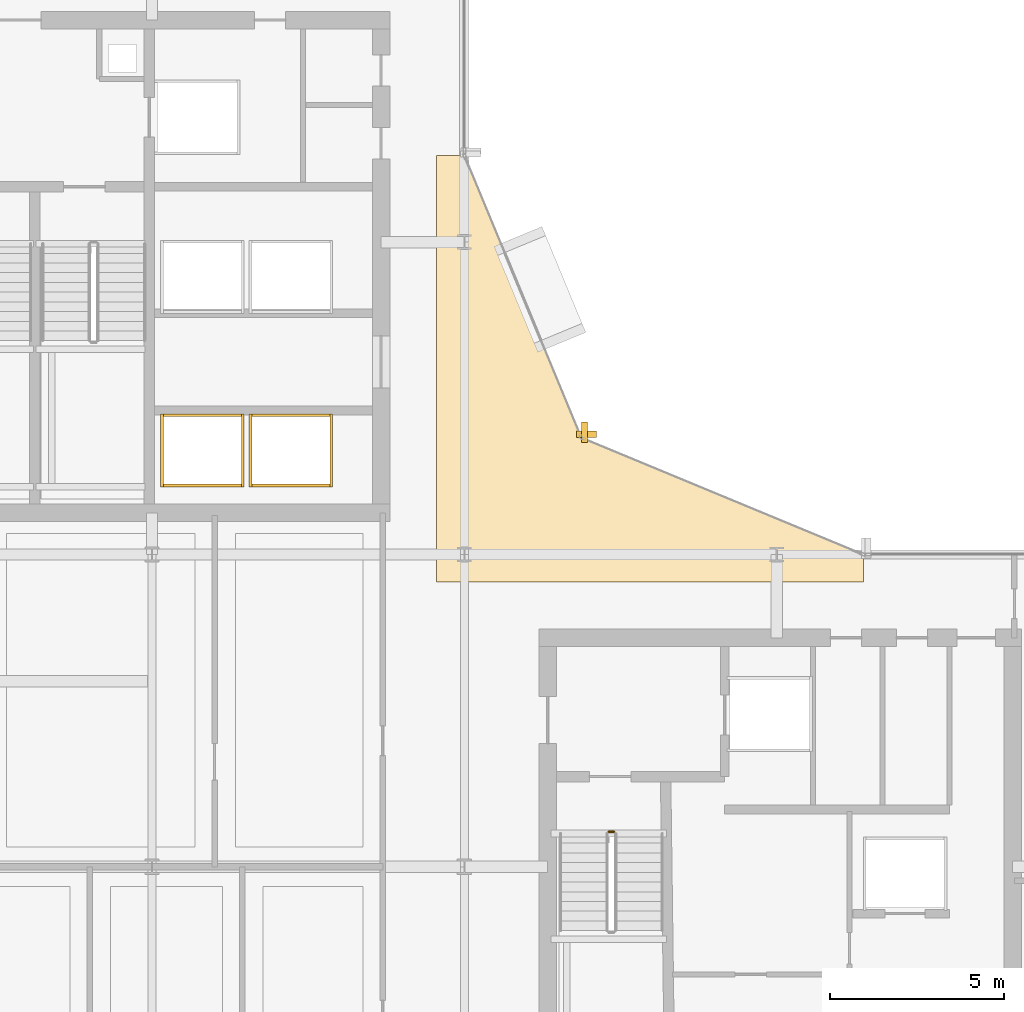
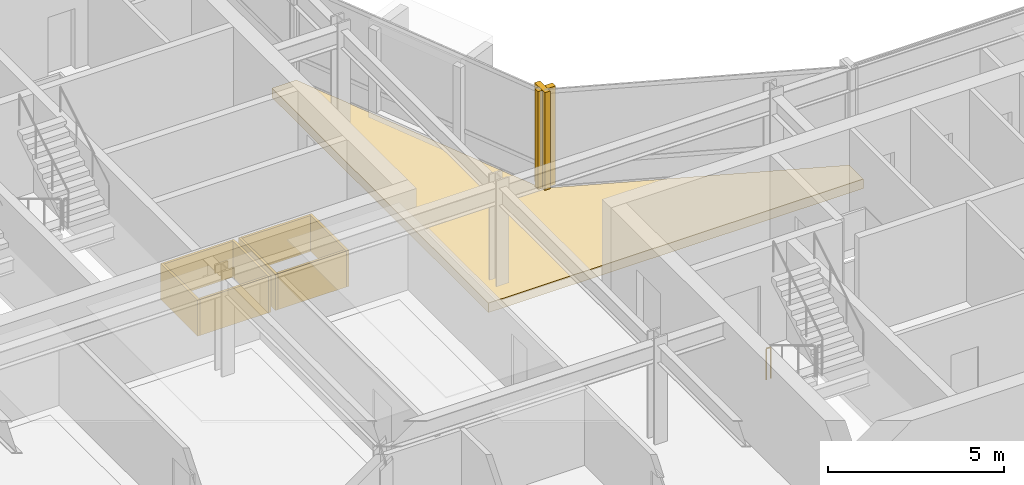
# One storey, part 26 of 28: 11 coverings, 1 railing.
"""IFC4 building model written with IfcOpenShell, lengths in metres."""

from ifc_helpers import new_model, si_unit, direction, frame, origin, origin_2d, place, context, subcontext, project, spatial, polyline, rectangle, circle, outline, extrude, material, layer, layer_set, type_object, element, save


model = new_model("IFC4")

# Units and contexts
model_context = context("Model", 3, precision=1e-05, world=origin(), true_north=direction((0.0, 1.0)))
body_context = subcontext(model_context, "Body", "Model", "MODEL_VIEW")
ifc_project = project(units=[si_unit("LENGTHUNIT", "METRE"), si_unit("AREAUNIT", "SQUARE_METRE"), si_unit("VOLUMEUNIT", "CUBIC_METRE"), si_unit("PLANEANGLEUNIT", "RADIAN"), si_unit("MASSUNIT", "GRAM", prefix="KILO")], contexts=[model_context])

# Site, building, storey
site_placement = place(None, origin())
site = spatial("IfcSite", under=ifc_project, at=site_placement, CompositionType="ELEMENT")
building_placement = place(site_placement, origin())
building = spatial("IfcBuilding", under=site, at=building_placement, Name="Solvaryn Broadcast Tower", CompositionType="ELEMENT")
storey_placement = place(building_placement, frame((0.0, 0.0, 154.39990234375)))
storey = spatial("IfcBuildingStorey", under=building, at=storey_placement, Name="L38", CompositionType="ELEMENT", Elevation=154.39990234375)

# Coverings
ifc_material_1 = material(Name="Fire-Rated Gypsum Shaftwall Liner", Category="concrete")
ifc_layer_1 = layer(ifc_material_1, 0.080078125)
ifc_layer_set_1 = layer_set([ifc_layer_1], Name="CV-SHAFT-LINER")
covering_type_1 = type_object("IfcCoveringType", Name="CV-SHAFT-LINER", PredefinedType="CLADDING", material=ifc_layer_set_1)
for number, where, z_axis, x_axis, name in (
    (1, (19.449951171875, 31.014892578125, 0.0), (0.0, 0.0, 1.0), (1.0, 0.0, 0.0), "L38 PH1 Hoistway Shaft Liner North"),
    (2, (19.449951171875, 28.985107421875, 0.0), (0.0, 0.0, 1.0), (1.0, 0.0, 0.0), "L38 PH1 Hoistway Shaft Liner South"),
):
    element("IfcCovering", number, at=place(storey_placement, frame(where, z_axis=z_axis, x_axis=x_axis)), inside=storey, type_object=covering_type_1, Name=name, PredefinedType="CLADDING", context=body_context, shape_type="SweptSolid", body=[
        extrude(rectangle(XDim=2.409912109375, YDim=0.080078125, at=origin_2d()), origin(), (0.0, 0.0, 1.0), 1.25),
    ])
for number, where, z_axis, x_axis, name in (
    (3, (20.614990234375, 30.0, 0.0), (0.0, 0.0, 1.0), (1.0, 0.0, 0.0), "L38 PH1 Hoistway Shaft Liner East"),
    (4, (18.284912109375, 30.0, 0.0), (0.0, 0.0, 1.0), (1.0, 0.0, 0.0), "L38 PH1 Hoistway Shaft Liner West"),
):
    element("IfcCovering", number, at=place(storey_placement, frame(where, z_axis=z_axis, x_axis=x_axis)), inside=storey, type_object=covering_type_1, Name=name, PredefinedType="CLADDING", context=body_context, shape_type="SweptSolid", body=[
        extrude(rectangle(XDim=0.080078125, YDim=2.110107421875, at=origin_2d()), origin(), (0.0, 0.0, 1.0), 1.25),
    ])
for number, where, z_axis, x_axis, name in (
    (5, (22.0, 31.014892578125, 0.0), (0.0, 0.0, 1.0), (1.0, 0.0, 0.0), "L38 PH2 Hoistway Shaft Liner North"),
    (6, (22.0, 28.985107421875, 0.0), (0.0, 0.0, 1.0), (1.0, 0.0, 0.0), "L38 PH2 Hoistway Shaft Liner South"),
):
    element("IfcCovering", number, at=place(storey_placement, frame(where, z_axis=z_axis, x_axis=x_axis)), inside=storey, type_object=covering_type_1, Name=name, PredefinedType="CLADDING", context=body_context, shape_type="SweptSolid", body=[
        extrude(rectangle(XDim=2.409912109375, YDim=0.080078125, at=origin_2d()), origin(), (0.0, 0.0, 1.0), 1.25),
    ])
for number, where, z_axis, x_axis, name in (
    (7, (23.1650390625, 30.0, 0.0), (0.0, 0.0, 1.0), (1.0, 0.0, 0.0), "L38 PH2 Hoistway Shaft Liner East"),
    (8, (20.8349609375, 30.0, 0.0), (0.0, 0.0, 1.0), (1.0, 0.0, 0.0), "L38 PH2 Hoistway Shaft Liner West"),
):
    element("IfcCovering", number, at=place(storey_placement, frame(where, z_axis=z_axis, x_axis=x_axis)), inside=storey, type_object=covering_type_1, Name=name, PredefinedType="CLADDING", context=body_context, shape_type="SweptSolid", body=[
        extrude(rectangle(XDim=0.080078125, YDim=2.110107421875, at=origin_2d()), origin(), (0.0, 0.0, 1.0), 1.25),
    ])
ifc_material_2 = material(Name="Extruded Architectural Terracotta Fin", Category="masonry")
ifc_layer_2 = layer(ifc_material_2, 0.179931640625)
ifc_layer_set_2 = layer_set([ifc_layer_2], Name="CV-TC-FIN")
covering_type_2 = type_object("IfcCoveringType", Name="CV-TC-FIN", PredefinedType="USERDEFINED", material=ifc_layer_set_2)
covering_1_placement = place(storey_placement, frame((30.464599609375, 30.52294921875, 0.000244140625), z_axis=(0.0, 0.0, 1.0), x_axis=(1.0, 0.0, 0.0)))
element("IfcCovering", 9, at=covering_1_placement, inside=storey, type_object=covering_type_2, Name="L38 Terracotta Vertical Fin FIN-L38-CN1-M01", ObjectType="FIN", PredefinedType="USERDEFINED", context=body_context, shape_type="SweptSolid", body=[
    extrude(rectangle(XDim=0.179931640625, YDim=0.580078125, at=origin_2d()), origin(), (0.0, 0.0, 1.0), 3.419921875),
])
covering_2_placement = place(storey_placement, frame((30.52294921875, 30.464599609375, 0.000244140625), z_axis=(0.0, 0.0, 1.0), x_axis=(1.0, 0.0, 0.0)))
element("IfcCovering", 10, at=covering_2_placement, inside=storey, type_object=covering_type_2, Name="L38 Terracotta Vertical Fin FIN-L38-CN2-M00", ObjectType="FIN", PredefinedType="USERDEFINED", context=body_context, shape_type="SweptSolid", body=[
    extrude(rectangle(XDim=0.580078125, YDim=0.179931640625, at=origin_2d()), origin(), (0.0, 0.0, 1.0), 3.419921875),
])
ifc_material_3 = material(Name="Sculpted Architectural Terracotta Wave Fascia", Category="masonry")
ifc_layer_3 = layer(ifc_material_3, 0.340087890625)
ifc_layer_set_3 = layer_set([ifc_layer_3], Name="CV-WAVE-TRAY")
covering_type_3 = type_object("IfcCoveringType", Name="CV-WAVE-TRAY", PredefinedType="CLADDING", material=ifc_layer_set_3)
covering_3_placement = place(storey_placement, frame((0.0, 0.0, -0.2998046875)))
element("IfcCovering", 11, at=covering_3_placement, inside=storey, type_object=covering_type_3, Name="L38 Concave Canyon Floor Apron", PredefinedType="CLADDING", context=body_context, shape_type="SweptSolid", body=[
    extrude(outline(polyline([(26.199951171875, 26.199951171875), (38.5, 26.199951171875), (38.5, 27.0), (30.367919921875, 30.367919921875), (27.0, 38.5), (26.199951171875, 38.5), (26.199951171875, 26.199951171875)])), origin(), (0.0, 0.0, 1.0), 0.329833984375),
])

# Railing
ifc_material_4 = material(Name="Painted Steel Stair Well Guard", Category="steel")
railing_type = type_object("IfcRailingType", Name="RL-STAIR-GUARD", PredefinedType="BALUSTRADE", material=ifc_material_4)
railing_placement = place(storey_placement, frame((31.159912109375, 19.010009765625, 0.0)))
element("IfcRailing", 12, at=railing_placement, inside=storey, type_object=railing_type, Name="L38 ST3 stair guard 4", PredefinedType="BALUSTRADE", context=body_context, shape_type="SweptSolid", body=[
    extrude(circle(Radius=0.02392578125, at=origin_2d()), frame((0.0, 0.0, 1.076171875), z_axis=(1.0, 0.0, 0.0), x_axis=(0.0, 1.0, 0.0)), (0.0, 0.0, 1.0), 0.150146484375),
    extrude(circle(Radius=0.02099609375, at=origin_2d()), origin(), (0.0, 0.0, 1.0), 1.052001953125),
    extrude(circle(Radius=0.02099609375, at=origin_2d()), frame((0.150146484375, 0.0, 0.0)), (0.0, 0.0, 1.0), 1.052001953125),
])

save(model, "model.ifc")
